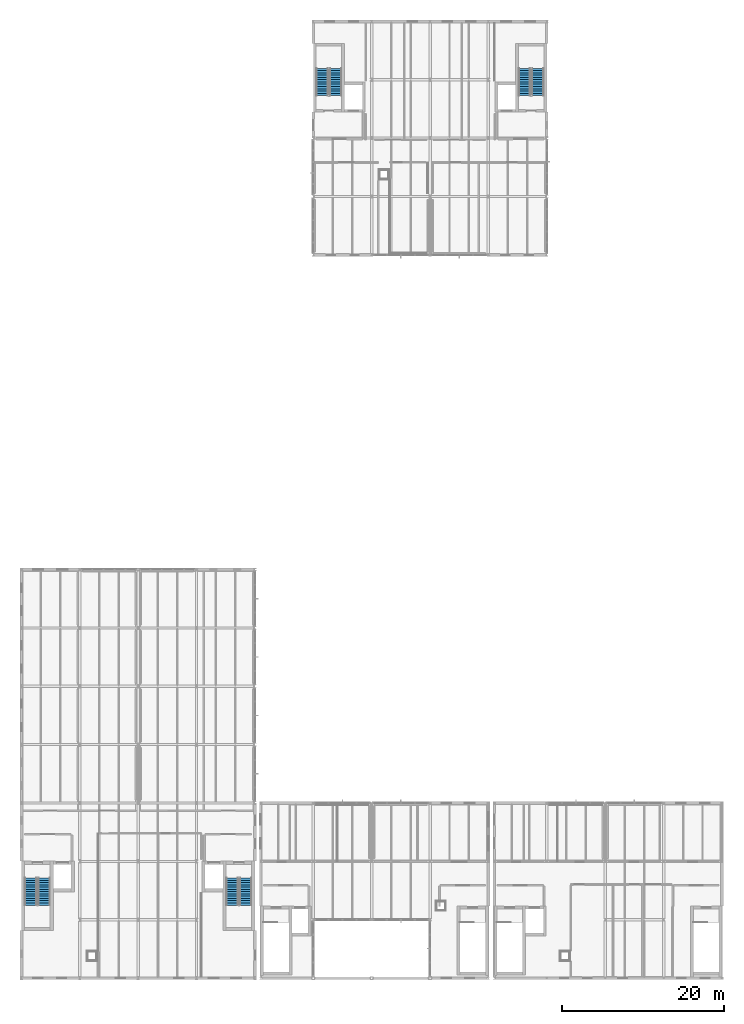
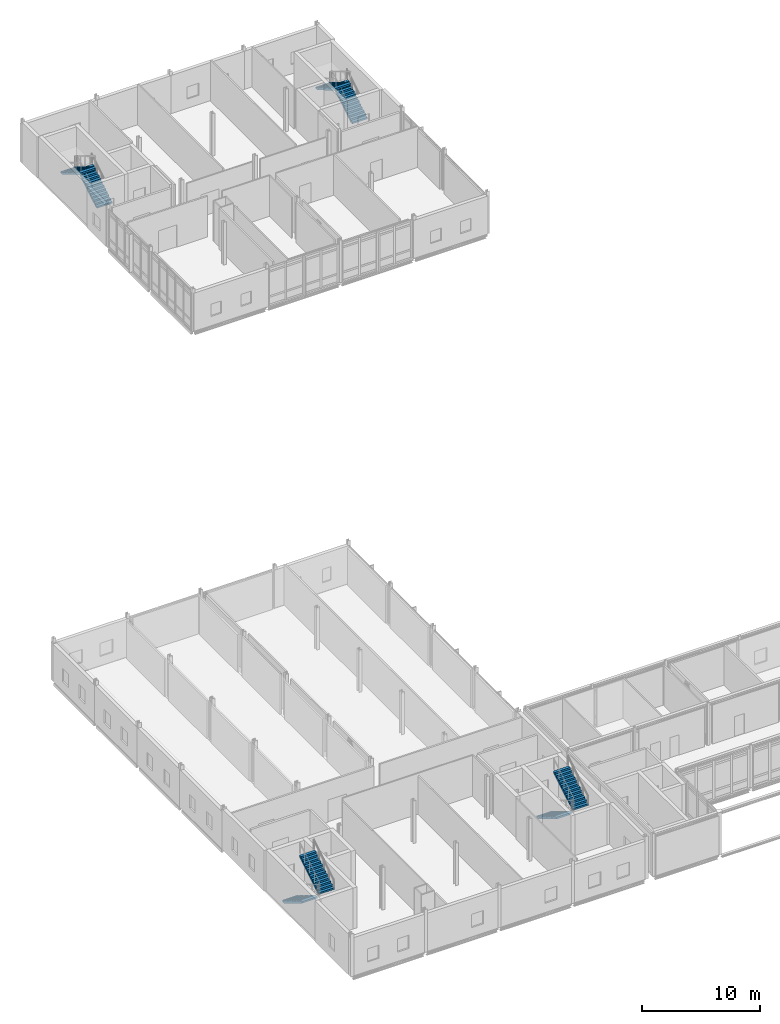
# One storey, part 37 of 43: 8 stair flights, 4 elements without a shape of their own.
"""IFC4 building model written with IfcOpenShell, lengths in metres."""

from ifc_helpers import new_model, si_unit, direction, frame, origin, place, context, subcontext, project, spatial, polyline, outline, extrude, material, type_object, element, aggregate, save


model = new_model("IFC4")

# Units and contexts
model_context = context("Model", 3, precision=1e-05, world=origin(), true_north=direction((0.0, 1.0)))
body_context = subcontext(model_context, "Body", "Model", "MODEL_VIEW")
ifc_project = project(units=[si_unit("LENGTHUNIT", "METRE"), si_unit("AREAUNIT", "SQUARE_METRE"), si_unit("VOLUMEUNIT", "CUBIC_METRE"), si_unit("PLANEANGLEUNIT", "RADIAN"), si_unit("MASSUNIT", "GRAM", prefix="KILO")], contexts=[model_context])

# Site, building, storey
site_placement = place(None, origin())
site = spatial("IfcSite", under=ifc_project, at=site_placement, CompositionType="ELEMENT")
building_placement = place(site_placement, origin())
building = spatial("IfcBuilding", under=site, at=building_placement, Name="Zarrinpeak Specialist Clinic", CompositionType="ELEMENT")
storey_placement = place(building_placement, frame((0.0, 0.0, 18.39990234375)))
storey = spatial("IfcBuildingStorey", under=building, at=storey_placement, Name="L04", CompositionType="ELEMENT", Elevation=18.39990234375)

# Stair, stair flights
ifc_material = material(Name="Concrete C35/45", Category="concrete")
stair_type = type_object("IfcStairType", Name="ST-DOG", PredefinedType="HALF_TURN_STAIR", material=ifc_material)
stair_1_placement = place(storey_placement, origin())
stair_1 = element("IfcStair", 1, at=stair_1_placement, inside=storey, type_object=stair_type, Name="L04 Protected Exit Stair ST-01", PredefinedType="HALF_TURN_STAIR")
stair_flight_type = type_object("IfcStairFlightType", Name="STF-150", PredefinedType="STRAIGHT", material=ifc_material)
stair_flight_1_placement = place(storey_placement, frame((1.14990234375, 12.35009765625, 0.0), z_axis=(0.0, 0.0, 1.0), x_axis=(0.0, -1.0, 0.0)))
stair_flight_1 = element("IfcStairFlight", 2, at=stair_flight_1_placement, type_object=stair_flight_type, Name="ST-01 flight 1", NumberOfRisers=13, NumberOfTreads=12, PredefinedType="STRAIGHT", RiserHeight=0.169230769, TreadLength=0.28, context=body_context, shape_type="SweptSolid", body=[
    extrude(outline(polyline([(0.0, 0.0), (0.0, 0.169189453125), (0.280029296875, 0.169189453125), (0.280029296875, 0.33837890625), (0.56005859375, 0.33837890625), (0.56005859375, 0.5078125), (0.840087890625, 0.5078125), (0.840087890625, 0.677001953125), (1.1201171875, 0.677001953125), (1.1201171875, 0.84619140625), (1.39990234375, 0.84619140625), (1.39990234375, 1.015380859375), (1.679931640625, 1.015380859375), (1.679931640625, 1.1845703125), (1.9599609375, 1.1845703125), (1.9599609375, 1.353759765625), (2.239990234375, 1.353759765625), (2.239990234375, 1.523193359375), (2.52001953125, 1.523193359375), (2.52001953125, 1.6923828125), (2.800048828125, 1.6923828125), (2.800048828125, 1.861572265625), (3.080078125, 1.861572265625), (3.080078125, 2.03076171875), (3.360107421875, 2.03076171875), (3.360107421875, 2.199951171875), (3.360107421875, 1.855712890625), (0.289794921875, 0.0), (0.0, 0.0)])), frame((0.0, 0.75, 0.0), z_axis=(0.0, -1.0, 0.0), x_axis=(1.0, 0.0, 0.0)), (0.0, 0.0, 1.0), 1.5),
])
stair_flight_2_placement = place(storey_placement, frame((2.800048828125, 8.989990234375, 2.2001953125), z_axis=(0.0, 0.0, 1.0), x_axis=(0.0, 1.0, 0.0)))
stair_flight_2 = element("IfcStairFlight", 3, at=stair_flight_2_placement, type_object=stair_flight_type, Name="ST-01 flight 2", NumberOfRisers=13, NumberOfTreads=12, PredefinedType="STRAIGHT", RiserHeight=0.169230769, TreadLength=0.28, context=body_context, shape_type="SweptSolid", body=[
    extrude(outline(polyline([(0.0, 0.0), (0.0, 0.169189453125), (0.280029296875, 0.169189453125), (0.280029296875, 0.33837890625), (0.56005859375, 0.33837890625), (0.56005859375, 0.5078125), (0.840087890625, 0.5078125), (0.840087890625, 0.677001953125), (1.1201171875, 0.677001953125), (1.1201171875, 0.84619140625), (1.39990234375, 0.84619140625), (1.39990234375, 1.015380859375), (1.679931640625, 1.015380859375), (1.679931640625, 1.1845703125), (1.9599609375, 1.1845703125), (1.9599609375, 1.353759765625), (2.239990234375, 1.353759765625), (2.239990234375, 1.523193359375), (2.52001953125, 1.523193359375), (2.52001953125, 1.6923828125), (2.800048828125, 1.6923828125), (2.800048828125, 1.861572265625), (3.080078125, 1.861572265625), (3.080078125, 2.03076171875), (3.360107421875, 2.03076171875), (3.360107421875, 2.199951171875), (3.360107421875, 1.855712890625), (0.289794921875, 0.0), (0.0, 0.0)])), frame((0.0, 0.75, 0.0), z_axis=(0.0, -1.0, 0.0), x_axis=(1.0, 0.0, 0.0)), (0.0, 0.0, 1.0), 1.5),
])
aggregate(stair_1, [stair_flight_1, stair_flight_2])

stair_2_placement = place(storey_placement, origin())
stair_2 = element("IfcStair", 4, at=stair_2_placement, inside=storey, type_object=stair_type, Name="L04 Protected Exit Stair ST-02", PredefinedType="HALF_TURN_STAIR")
stair_flight_3_placement = place(storey_placement, frame((26.0, 12.35009765625, 0.0), z_axis=(0.0, 0.0, 1.0), x_axis=(0.0, -1.0, 0.0)))
stair_flight_3 = element("IfcStairFlight", 5, at=stair_flight_3_placement, type_object=stair_flight_type, Name="ST-02 flight 1", NumberOfRisers=13, NumberOfTreads=12, PredefinedType="STRAIGHT", RiserHeight=0.169230769, TreadLength=0.28, context=body_context, shape_type="SweptSolid", body=[
    extrude(outline(polyline([(0.0, 0.0), (0.0, 0.169189453125), (0.280029296875, 0.169189453125), (0.280029296875, 0.33837890625), (0.56005859375, 0.33837890625), (0.56005859375, 0.5078125), (0.840087890625, 0.5078125), (0.840087890625, 0.677001953125), (1.1201171875, 0.677001953125), (1.1201171875, 0.84619140625), (1.39990234375, 0.84619140625), (1.39990234375, 1.015380859375), (1.679931640625, 1.015380859375), (1.679931640625, 1.1845703125), (1.9599609375, 1.1845703125), (1.9599609375, 1.353759765625), (2.239990234375, 1.353759765625), (2.239990234375, 1.523193359375), (2.52001953125, 1.523193359375), (2.52001953125, 1.6923828125), (2.800048828125, 1.6923828125), (2.800048828125, 1.861572265625), (3.080078125, 1.861572265625), (3.080078125, 2.03076171875), (3.360107421875, 2.03076171875), (3.360107421875, 2.199951171875), (3.360107421875, 1.855712890625), (0.289794921875, 0.0), (0.0, 0.0)])), frame((0.0, 0.75, 0.0), z_axis=(0.0, -1.0, 0.0), x_axis=(1.0, 0.0, 0.0)), (0.0, 0.0, 1.0), 1.5),
])
stair_flight_4_placement = place(storey_placement, frame((27.64990234375, 8.989990234375, 2.2001953125), z_axis=(0.0, 0.0, 1.0), x_axis=(0.0, 1.0, 0.0)))
stair_flight_4 = element("IfcStairFlight", 6, at=stair_flight_4_placement, type_object=stair_flight_type, Name="ST-02 flight 2", NumberOfRisers=13, NumberOfTreads=12, PredefinedType="STRAIGHT", RiserHeight=0.169230769, TreadLength=0.28, context=body_context, shape_type="SweptSolid", body=[
    extrude(outline(polyline([(0.0, 0.0), (0.0, 0.169189453125), (0.280029296875, 0.169189453125), (0.280029296875, 0.33837890625), (0.56005859375, 0.33837890625), (0.56005859375, 0.5078125), (0.840087890625, 0.5078125), (0.840087890625, 0.677001953125), (1.1201171875, 0.677001953125), (1.1201171875, 0.84619140625), (1.39990234375, 0.84619140625), (1.39990234375, 1.015380859375), (1.679931640625, 1.015380859375), (1.679931640625, 1.1845703125), (1.9599609375, 1.1845703125), (1.9599609375, 1.353759765625), (2.239990234375, 1.353759765625), (2.239990234375, 1.523193359375), (2.52001953125, 1.523193359375), (2.52001953125, 1.6923828125), (2.800048828125, 1.6923828125), (2.800048828125, 1.861572265625), (3.080078125, 1.861572265625), (3.080078125, 2.03076171875), (3.360107421875, 2.03076171875), (3.360107421875, 2.199951171875), (3.360107421875, 1.855712890625), (0.289794921875, 0.0), (0.0, 0.0)])), frame((0.0, 0.75, 0.0), z_axis=(0.0, -1.0, 0.0), x_axis=(1.0, 0.0, 0.0)), (0.0, 0.0, 1.0), 1.5),
])
aggregate(stair_2, [stair_flight_3, stair_flight_4])

stair_3_placement = place(storey_placement, origin())
stair_3 = element("IfcStair", 7, at=stair_3_placement, inside=storey, type_object=stair_type, Name="L04 Protected Exit Stair ST-11", PredefinedType="HALF_TURN_STAIR")
stair_flight_5_placement = place(storey_placement, frame((38.75, 108.85009765625, 0.0), z_axis=(0.0, 0.0, 1.0), x_axis=(0.0, 1.0, 0.0)))
stair_flight_5 = element("IfcStairFlight", 8, at=stair_flight_5_placement, type_object=stair_flight_type, Name="ST-11 flight 1", NumberOfRisers=13, NumberOfTreads=12, PredefinedType="STRAIGHT", RiserHeight=0.169230769, TreadLength=0.28, context=body_context, shape_type="SweptSolid", body=[
    extrude(outline(polyline([(0.0, 0.0), (0.0, 0.169189453125), (0.280029296875, 0.169189453125), (0.280029296875, 0.33837890625), (0.56005859375, 0.33837890625), (0.56005859375, 0.5078125), (0.840087890625, 0.5078125), (0.840087890625, 0.677001953125), (1.1201171875, 0.677001953125), (1.1201171875, 0.84619140625), (1.39990234375, 0.84619140625), (1.39990234375, 1.015380859375), (1.679931640625, 1.015380859375), (1.679931640625, 1.1845703125), (1.9599609375, 1.1845703125), (1.9599609375, 1.353759765625), (2.239990234375, 1.353759765625), (2.239990234375, 1.523193359375), (2.52001953125, 1.523193359375), (2.52001953125, 1.6923828125), (2.800048828125, 1.6923828125), (2.800048828125, 1.861572265625), (3.080078125, 1.861572265625), (3.080078125, 2.03076171875), (3.360107421875, 2.03076171875), (3.360107421875, 2.199951171875), (3.360107421875, 1.855712890625), (0.289794921875, 0.0), (0.0, 0.0)])), frame((0.0, 0.75, 0.0), z_axis=(0.0, -1.0, 0.0), x_axis=(1.0, 0.0, 0.0)), (0.0, 0.0, 1.0), 1.5),
])
stair_flight_6_placement = place(storey_placement, frame((37.10009765625, 112.2099609375, 2.2001953125), z_axis=(0.0, 0.0, 1.0), x_axis=(0.0, -1.0, 0.0)))
stair_flight_6 = element("IfcStairFlight", 9, at=stair_flight_6_placement, type_object=stair_flight_type, Name="ST-11 flight 2", NumberOfRisers=13, NumberOfTreads=12, PredefinedType="STRAIGHT", RiserHeight=0.169230769, TreadLength=0.28, context=body_context, shape_type="SweptSolid", body=[
    extrude(outline(polyline([(0.0, 0.0), (0.0, 0.169189453125), (0.280029296875, 0.169189453125), (0.280029296875, 0.33837890625), (0.56005859375, 0.33837890625), (0.56005859375, 0.5078125), (0.840087890625, 0.5078125), (0.840087890625, 0.677001953125), (1.1201171875, 0.677001953125), (1.1201171875, 0.84619140625), (1.39990234375, 0.84619140625), (1.39990234375, 1.015380859375), (1.679931640625, 1.015380859375), (1.679931640625, 1.1845703125), (1.9599609375, 1.1845703125), (1.9599609375, 1.353759765625), (2.239990234375, 1.353759765625), (2.239990234375, 1.523193359375), (2.52001953125, 1.523193359375), (2.52001953125, 1.6923828125), (2.800048828125, 1.6923828125), (2.800048828125, 1.861572265625), (3.080078125, 1.861572265625), (3.080078125, 2.03076171875), (3.360107421875, 2.03076171875), (3.360107421875, 2.199951171875), (3.360107421875, 1.855712890625), (0.289794921875, 0.0), (0.0, 0.0)])), frame((0.0, 0.75, 0.0), z_axis=(0.0, -1.0, 0.0), x_axis=(1.0, 0.0, 0.0)), (0.0, 0.0, 1.0), 1.5),
])
aggregate(stair_3, [stair_flight_5, stair_flight_6])

stair_4_placement = place(storey_placement, origin())
stair_4 = element("IfcStair", 10, at=stair_4_placement, inside=storey, type_object=stair_type, Name="L04 Protected Exit Stair ST-12", PredefinedType="HALF_TURN_STAIR")
stair_flight_7_placement = place(storey_placement, frame((63.699951171875, 108.85009765625, 0.0), z_axis=(0.0, 0.0, 1.0), x_axis=(0.0, 1.0, 0.0)))
stair_flight_7 = element("IfcStairFlight", 11, at=stair_flight_7_placement, type_object=stair_flight_type, Name="ST-12 flight 1", NumberOfRisers=13, NumberOfTreads=12, PredefinedType="STRAIGHT", RiserHeight=0.169230769, TreadLength=0.28, context=body_context, shape_type="SweptSolid", body=[
    extrude(outline(polyline([(0.0, 0.0), (0.0, 0.169189453125), (0.280029296875, 0.169189453125), (0.280029296875, 0.33837890625), (0.56005859375, 0.33837890625), (0.56005859375, 0.5078125), (0.840087890625, 0.5078125), (0.840087890625, 0.677001953125), (1.1201171875, 0.677001953125), (1.1201171875, 0.84619140625), (1.39990234375, 0.84619140625), (1.39990234375, 1.015380859375), (1.679931640625, 1.015380859375), (1.679931640625, 1.1845703125), (1.9599609375, 1.1845703125), (1.9599609375, 1.353759765625), (2.239990234375, 1.353759765625), (2.239990234375, 1.523193359375), (2.52001953125, 1.523193359375), (2.52001953125, 1.6923828125), (2.800048828125, 1.6923828125), (2.800048828125, 1.861572265625), (3.080078125, 1.861572265625), (3.080078125, 2.03076171875), (3.360107421875, 2.03076171875), (3.360107421875, 2.199951171875), (3.360107421875, 1.855712890625), (0.289794921875, 0.0), (0.0, 0.0)])), frame((0.0, 0.75, 0.0), z_axis=(0.0, -1.0, 0.0), x_axis=(1.0, 0.0, 0.0)), (0.0, 0.0, 1.0), 1.5),
])
stair_flight_8_placement = place(storey_placement, frame((62.050048828125, 112.2099609375, 2.2001953125), z_axis=(0.0, 0.0, 1.0), x_axis=(0.0, -1.0, 0.0)))
stair_flight_8 = element("IfcStairFlight", 12, at=stair_flight_8_placement, type_object=stair_flight_type, Name="ST-12 flight 2", NumberOfRisers=13, NumberOfTreads=12, PredefinedType="STRAIGHT", RiserHeight=0.169230769, TreadLength=0.28, context=body_context, shape_type="SweptSolid", body=[
    extrude(outline(polyline([(0.0, 0.0), (0.0, 0.169189453125), (0.280029296875, 0.169189453125), (0.280029296875, 0.33837890625), (0.56005859375, 0.33837890625), (0.56005859375, 0.5078125), (0.840087890625, 0.5078125), (0.840087890625, 0.677001953125), (1.1201171875, 0.677001953125), (1.1201171875, 0.84619140625), (1.39990234375, 0.84619140625), (1.39990234375, 1.015380859375), (1.679931640625, 1.015380859375), (1.679931640625, 1.1845703125), (1.9599609375, 1.1845703125), (1.9599609375, 1.353759765625), (2.239990234375, 1.353759765625), (2.239990234375, 1.523193359375), (2.52001953125, 1.523193359375), (2.52001953125, 1.6923828125), (2.800048828125, 1.6923828125), (2.800048828125, 1.861572265625), (3.080078125, 1.861572265625), (3.080078125, 2.03076171875), (3.360107421875, 2.03076171875), (3.360107421875, 2.199951171875), (3.360107421875, 1.855712890625), (0.289794921875, 0.0), (0.0, 0.0)])), frame((0.0, 0.75, 0.0), z_axis=(0.0, -1.0, 0.0), x_axis=(1.0, 0.0, 0.0)), (0.0, 0.0, 1.0), 1.5),
])
aggregate(stair_4, [stair_flight_7, stair_flight_8])

save(model, "model.ifc")
